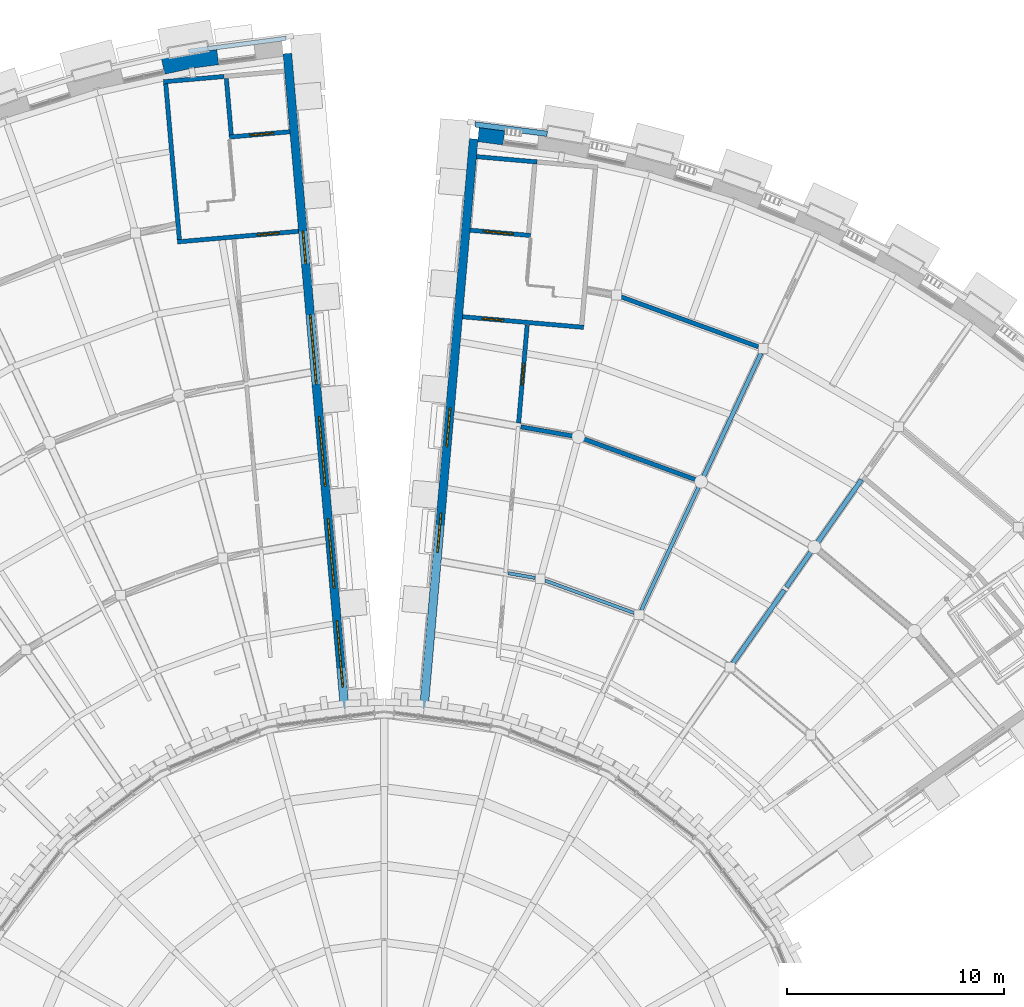
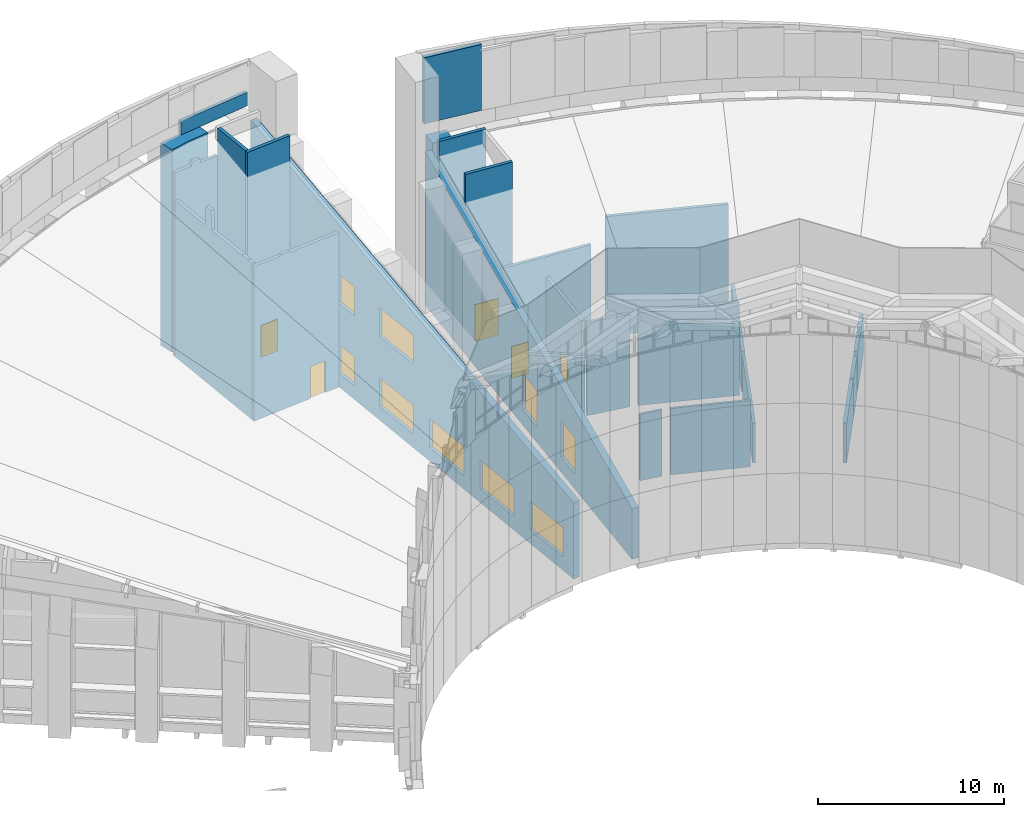
# One storey, part 60 of 82: 25 walls, 9 windows, 5 doors, 14 openings.
"""IFC4 building model written with IfcOpenShell, lengths in metres."""

from ifc_helpers import new_model, si_unit, direction, frame, frame_2d, origin, place, context, subcontext, project, spatial, polyline, rectangle, outline, extrude, material, layer, layer_set, type_object, element, fill, save


model = new_model("IFC4")

# Units and contexts
model_context = context("Model", 3, precision=1e-05, world=origin(), true_north=direction((0.0, 1.0)))
body_context = subcontext(model_context, "Body", "Model", "MODEL_VIEW")
ifc_project = project(units=[si_unit("LENGTHUNIT", "METRE"), si_unit("AREAUNIT", "SQUARE_METRE"), si_unit("VOLUMEUNIT", "CUBIC_METRE"), si_unit("PLANEANGLEUNIT", "RADIAN"), si_unit("MASSUNIT", "GRAM", prefix="KILO")], contexts=[model_context])

# Site, building, storey
site_placement = place(None, origin())
site = spatial("IfcSite", under=ifc_project, at=site_placement, CompositionType="ELEMENT")
building_placement = place(site_placement, origin())
building = spatial("IfcBuilding", under=site, at=building_placement, Name="Volute Hill Aquarium", CompositionType="ELEMENT")
storey_placement = place(building_placement, frame((0.0, 0.0, 13.800048828125)))
storey = spatial("IfcBuildingStorey", under=building, at=storey_placement, Name="L04", CompositionType="ELEMENT", Elevation=13.800048828125)

# Walls
ifc_material_1 = material(Name="Gypsum board on steel studs", Category="steel")
ifc_layer_1 = layer(ifc_material_1, 0.14990234375)
ifc_layer_set_1 = layer_set([ifc_layer_1], Name="Acoustic partition 150")
wall_type_1 = type_object("IfcWallType", Name="Acoustic partition 150", PredefinedType="PARTITIONING", material=ifc_layer_set_1)
wall_1_placement = place(storey_placement, frame((7.410888671875, 26.734619140625, 0.0), z_axis=(0.0, 0.0, 1.0), x_axis=(0.939682191011, -0.342048797538, 0.0)))
element("IfcWall", 1, at=wall_1_placement, inside=storey, type_object=wall_type_1, Name="pw/S5/L04/015", PredefinedType="PARTITIONING", context=body_context, shape_type="SweptSolid", body=[
    extrude(rectangle(XDim=4.359619140625, YDim=0.14990234375, at=frame_2d((2.1796875, 0.0))), origin(), (0.0, 0.0, 1.0), 4.3603515625),
])
wall_2_placement = place(storey_placement, frame((5.698974609375, 27.07861328125, 0.0), z_axis=(0.0, 0.0, 1.0), x_axis=(0.984806781799, -0.173653685601, 0.0)))
element("IfcWall", 2, at=wall_2_placement, inside=storey, type_object=wall_type_1, Name="pw/S5/L04/035", PredefinedType="PARTITIONING", context=body_context, shape_type="SweptSolid", body=[
    extrude(rectangle(XDim=1.26953125, YDim=0.14990234375, at=frame_2d((0.634765625, 0.0))), origin(), (0.0, 0.0, 1.0), 4.3603515625),
])

# Wall, opening, door
ifc_material_2 = material(Name="Concrete C30/37", Category="concrete")
ifc_layer_2 = layer(ifc_material_2, 0.199951171875)
ifc_layer_set_2 = layer_set([ifc_layer_2], Name="Core wall 200 REI 60")
wall_type_2 = type_object("IfcWallType", Name="Core wall 200 REI 60", PredefinedType="SHEAR", material=ifc_layer_set_2)
wall_3_placement = place(storey_placement, frame((3.602783203125, 38.884033203125, 0.0), z_axis=(0.0, 0.0, 1.0), x_axis=(0.996195137027, -0.087150725554, 0.0)))
wall_3 = element("IfcWall", 3, at=wall_3_placement, inside=storey, type_object=wall_type_2, Name="wc/S5-B/L04/in", PredefinedType="SHEAR", context=body_context, shape_type="SweptSolid", body=[
    extrude(rectangle(XDim=5.599853515625, YDim=0.199951171875, at=frame_2d((2.7998046875, 0.0))), origin(), (0.0, 0.0, 1.0), 7.446044921875),
])
opening_1_placement = place(wall_3_placement, frame((0.89990234375, 0.0, 0.0)))
opening_1 = element("IfcOpeningElement", 4, at=opening_1_placement, cuts=wall_3, Name="Opening D5.04.BS", PredefinedType="OPENING", context=body_context, shape_type="SweptSolid", body=[
    extrude(rectangle(XDim=1.0, YDim=2.10009765625, at=frame_2d((0.5, 1.050048828125))), frame((0.0, 0.10986328125, 0.0), z_axis=(0.0, -1.0, 0.0), x_axis=(1.0, 0.0, 0.0)), (0.0, 0.0, 1.0), 0.219970703125),
])
ifc_material_3 = material(Name="Timber, fire-rated", Category="wood")
door_type_1 = type_object("IfcDoorType", Name="Door 1000 x 2100 single EI1 30", OperationType="SINGLE_SWING_LEFT", PredefinedType="DOOR", material=ifc_material_3)
door_1_placement = place(opening_1_placement, origin())
door_1 = element("IfcDoor", 5, at=door_1_placement, inside=storey, type_object=door_type_1, Name="d/S5-B/L04/st", OperationType="SINGLE_SWING_RIGHT", OverallHeight=2.10009765625, OverallWidth=1.0, PredefinedType="DOOR", context=body_context, shape_type="SweptSolid", body=[
    extrude(rectangle(XDim=1.0, YDim=2.10009765625, at=frame_2d((0.5, 1.050048828125))), frame((0.0, 0.02490234375, 0.0), z_axis=(0.0, -1.0, 0.0), x_axis=(1.0, 0.0, 0.0)), (0.0, 0.0, 1.0), 0.050048828125),
])
fill(opening_1, door_1)

wall_4_placement = place(storey_placement, frame((-3.947021484375, 42.81884765625, 0.0), z_axis=(0.0, 0.0, 1.0), x_axis=(-0.996195137027, -0.087150725554, 0.0)))
wall_4 = element("IfcWall", 6, at=wall_4_placement, inside=storey, type_object=wall_type_2, Name="wc/S6-A/L04/in", PredefinedType="SHEAR", context=body_context, shape_type="SweptSolid", body=[
    extrude(outline(polyline([(0.0, 0.0), (5.599853515625, 0.0), (5.60009765625, 10.161376953125), (3.853271484375, 10.161376953125), (3.80322265625, 10.23974609375), (3.30322265625, 10.23974609375), (3.253173828125, 10.161376953125), (0.0, 10.161376953125), (0.0, 0.0)])), frame((0.0, 0.10009765625, 0.0), z_axis=(0.0, -1.0, 0.0), x_axis=(1.0, 0.0, 0.0)), (0.0, 0.0, 1.0), 0.199951171875),
])
opening_2_placement = place(wall_4_placement, frame((0.89990234375, 0.0, 0.0)))
opening_2 = element("IfcOpeningElement", 7, at=opening_2_placement, cuts=wall_4, Name="Opening D6.04.AS", PredefinedType="OPENING", context=body_context, shape_type="SweptSolid", body=[
    extrude(rectangle(XDim=1.0, YDim=2.10009765625, at=frame_2d((0.5, 1.050048828125))), frame((0.0, 0.10986328125, 0.0), z_axis=(0.0, -1.0, 0.0), x_axis=(1.0, 0.0, 0.0)), (0.0, 0.0, 1.0), 0.219970703125),
])
door_2_placement = place(opening_2_placement, origin())
door_2 = element("IfcDoor", 8, at=door_2_placement, inside=storey, type_object=door_type_1, Name="d/S6-A/L04/st", OperationType="SINGLE_SWING_RIGHT", OverallHeight=2.10009765625, OverallWidth=1.0, PredefinedType="DOOR", context=body_context, shape_type="SweptSolid", body=[
    extrude(rectangle(XDim=1.0, YDim=2.10009765625, at=frame_2d((0.5, 1.050048828125))), frame((0.0, 0.02490234375, 0.0), z_axis=(0.0, -1.0, 0.0), x_axis=(1.0, 0.0, 0.0)), (0.0, 0.0, 1.0), 0.050048828125),
])
fill(opening_2, door_2)

# Walls
wall_5_placement = place(storey_placement, frame((-9.434814453125, 42.439208984375, 0.0), z_axis=(0.0, 0.0, 1.0), x_axis=(-0.087144656612, 0.996195667941, 0.0)))
element("IfcWall", 9, at=wall_5_placement, inside=storey, type_object=wall_type_2, Name="wc/S6-A/L04/side", PredefinedType="SHEAR", context=body_context, shape_type="SweptSolid", body=[
    extrude(outline(polyline([(0.0, 0.0), (7.199951171875, 0.0), (7.199951171875, 10.283447265625), (4.36767578125, 10.283447265625), (4.317626953125, 11.549560546875), (3.817626953125, 11.549560546875), (3.767578125, 10.283447265625), (0.942626953125, 10.283447265625), (0.892578125, 10.31884765625), (0.392578125, 10.31884765625), (0.342529296875, 10.283447265625), (0.0, 10.283447265625), (0.0, 0.0)])), frame((0.0, 0.10009765625, 0.0), z_axis=(0.0, -1.0, 0.0), x_axis=(1.0, 0.0, 0.0)), (0.0, 0.0, 1.0), 0.199951171875),
])
wall_6_placement = place(storey_placement, frame((-7.381103515625, 49.94677734375, 0.0), z_axis=(0.0, 0.0, 1.0), x_axis=(-0.996192013865, -0.087186418157, 0.0)))
element("IfcWall", 10, at=wall_6_placement, inside=storey, type_object=wall_type_2, Name="wc/S6-A/L04/out-b", PredefinedType="SHEAR", context=body_context, shape_type="SweptSolid", body=[
    extrude(outline(polyline([(0.0, 0.0), (2.80029296875, 0.0), (2.800048828125, 12.086669921875), (1.71826171875, 12.086669921875), (1.668212890625, 12.363525390625), (1.168212890625, 12.363525390625), (1.1181640625, 12.086669921875), (0.0, 12.086669921875), (0.0, 0.0)])), frame((0.0, 0.10009765625, 0.0), z_axis=(0.0, -1.0, 0.0), x_axis=(1.0, 0.0, 0.0)), (0.0, 0.0, 1.0), 0.199951171875),
])
ifc_material_4 = material(Name="Gypsum board on steel studs", Category="steel")
ifc_layer_3 = layer(ifc_material_4, 0.175048828125)
ifc_layer_set_3 = layer_set([ifc_layer_3], Name="Corridor partition 175 EI 60")
wall_type_3 = type_object("IfcWallType", Name="Corridor partition 175 EI 60", PredefinedType="PARTITIONING", material=ifc_layer_set_3)
wall_7_placement = place(storey_placement, frame((11.834228515625, 25.378662109375, 0.0), z_axis=(0.0, 0.0, 1.0), x_axis=(0.42261316076, 0.906310165646, 0.0)))
element("IfcWall", 11, at=wall_7_placement, inside=storey, type_object=wall_type_3, Name="pw/S5/L04/006", PredefinedType="PARTITIONING", context=body_context, shape_type="SweptSolid", body=[
    extrude(rectangle(XDim=6.282958984375, YDim=0.175048828125, at=frame_2d((3.1416015625, 0.0))), origin(), (0.0, 0.0, 1.0), 2.621826171875),
])
ifc_material_5 = material(Name="Precast concrete C40/50", Category="concrete")
ifc_layer_4 = layer(ifc_material_5, 0.25)
ifc_layer_set_4 = layer_set([ifc_layer_4], Name="Crown screen wall precast concrete C40/50 250")
wall_type_4 = type_object("IfcWallType", Name="Crown screen wall precast concrete C40/50 250", PredefinedType="NOTDEFINED", material=ifc_layer_set_4)
wall_8_placement = place(storey_placement, frame((0.0, 0.0, 11.48046875)))
element("IfcWall", 12, at=wall_8_placement, inside=storey, type_object=wall_type_4, Name="Crown screen wall CSW S5 10", PredefinedType="NOTDEFINED", context=body_context, shape_type="SweptSolid", body=[
    extrude(outline(polyline([(7.521728515625, 47.4287109375), (4.18798828125, 47.86767578125), (4.166015625, 47.618408203125), (7.478271484375, 47.18212890625), (7.521728515625, 47.4287109375)])), origin(), (0.0, 0.0, 1.0), 4.339599609375),
])

# Wall, openings, windows
ifc_material_6 = material(Name="Concrete C35/45", Category="concrete")
ifc_layer_5 = layer(ifc_material_6, 0.39990234375)
ifc_layer_set_5 = layer_set([ifc_layer_5], Name="End wall 400 C35/45")
wall_type_5 = type_object("IfcWallType", Name="End wall 400 C35/45", PredefinedType="SHEAR", material=ifc_layer_set_5)
wall_9_placement = place(storey_placement, frame((1.821533203125, 20.820556640625, 0.0), z_axis=(0.0, 0.0, 1.0), x_axis=(0.087158559941, 0.996194451615, 0.0)))
wall_9 = element("IfcWall", 13, at=wall_9_placement, inside=storey, type_object=wall_type_5, Name="sw/S5/L04/endB", PredefinedType="SHEAR", context=body_context, shape_type="SweptSolid", body=[
    extrude(outline(polyline([(0.0, 0.0), (26.35009765625, 0.0), (26.35009765625, 10.090087890625), (23.056396484375, 9.243408203125), (19.762451171875, 8.396728515625), (16.46875, 7.5498046875), (13.175048828125, 6.703125), (9.88134765625, 5.8564453125), (6.58740234375, 5.009521484375), (3.293701171875, 4.162841796875), (0.0, 3.316162109375), (0.0, 0.0)])), frame((0.0, 0.199951171875, 0.0), z_axis=(0.0, -1.0, 0.0), x_axis=(1.0, 0.0, 0.0)), (0.0, 0.0, 1.0), 0.39990234375),
])
opening_3_placement = place(wall_9_placement, frame((7.252197265625, 0.0, 1.0)))
opening_3 = element("IfcOpeningElement", 14, at=opening_3_placement, cuts=wall_9, Name="Opening W13", PredefinedType="OPENING", context=body_context, shape_type="SweptSolid", body=[
    extrude(rectangle(XDim=1.800048828125, YDim=2.39990234375, at=frame_2d((0.89990234375, 1.199951171875))), frame((0.0, 0.2099609375, 0.0), z_axis=(0.0, -1.0, 0.0), x_axis=(1.0, 0.0, 0.0)), (0.0, 0.0, 1.0), 0.419921875),
])
opening_4_placement = place(wall_9_placement, frame((12.1181640625, 0.0, 1.0)))
opening_4 = element("IfcOpeningElement", 15, at=opening_4_placement, cuts=wall_9, Name="Opening W13", PredefinedType="OPENING", context=body_context, shape_type="SweptSolid", body=[
    extrude(rectangle(XDim=1.800048828125, YDim=2.39990234375, at=frame_2d((0.89990234375, 1.199951171875))), frame((0.0, 0.2099609375, 0.0), z_axis=(0.0, -1.0, 0.0), x_axis=(1.0, 0.0, 0.0)), (0.0, 0.0, 1.0), 0.419921875),
])
ifc_material_7 = material(Name="Aluminium and glass", Category="aluminium")
window_type_1 = type_object("IfcWindowType", Name="End wall window 1800x2400", PartitioningType="SINGLE_PANEL", PredefinedType="WINDOW", material=ifc_material_7)
window_1_placement = place(opening_3_placement, origin())
window_1 = element("IfcWindow", 16, at=window_1_placement, inside=storey, type_object=window_type_1, Name="End wall window S5B L04 2.1", OverallHeight=2.39990234375, OverallWidth=1.800048828125, PartitioningType="SINGLE_PANEL", PredefinedType="WINDOW", context=body_context, shape_type="SweptSolid", body=[
    extrude(rectangle(XDim=1.800048828125, YDim=2.39990234375, at=frame_2d((0.89990234375, 1.199951171875))), frame((0.0, 0.030029296875, 0.0), z_axis=(0.0, -1.0, 0.0), x_axis=(1.0, 0.0, 0.0)), (0.0, 0.0, 1.0), 0.06005859375),
])
fill(opening_3, window_1)
window_2_placement = place(opening_4_placement, origin())
window_2 = element("IfcWindow", 17, at=window_2_placement, inside=storey, type_object=window_type_1, Name="End wall window S5B L04 3.1", OverallHeight=2.39990234375, OverallWidth=1.800048828125, PartitioningType="SINGLE_PANEL", PredefinedType="WINDOW", context=body_context, shape_type="SweptSolid", body=[
    extrude(rectangle(XDim=1.800048828125, YDim=2.39990234375, at=frame_2d((0.89990234375, 1.199951171875))), frame((0.0, 0.030029296875, 0.0), z_axis=(0.0, -1.0, 0.0), x_axis=(1.0, 0.0, 0.0)), (0.0, 0.0, 1.0), 0.06005859375),
])
fill(opening_4, window_2)

wall_10_placement = place(storey_placement, frame((-1.821533203125, 20.820556640625, 0.0), z_axis=(0.0, 0.0, 1.0), x_axis=(-0.08715775458, 0.996194522077, 0.0)))
wall_10 = element("IfcWall", 18, at=wall_10_placement, inside=storey, type_object=wall_type_5, Name="sw/S6/L04/endA", PredefinedType="SHEAR", context=body_context, shape_type="SweptSolid", body=[
    extrude(outline(polyline([(0.0, 0.0), (30.2998046875, 0.0), (30.300048828125, 12.8056640625), (26.512451171875, 11.83203125), (22.72509765625, 10.858154296875), (18.9375, 9.884521484375), (15.14990234375, 8.910888671875), (11.362548828125, 7.937255859375), (7.574951171875, 6.96337890625), (3.78759765625, 5.98974609375), (0.0, 5.01611328125), (0.0, 0.0)])), frame((0.0, 0.199951171875, 0.0), z_axis=(0.0, -1.0, 0.0), x_axis=(1.0, 0.0, 0.0)), (0.0, 0.0, 1.0), 0.39990234375),
])
opening_5_placement = place(wall_10_placement, frame((1.02001953125, 0.0, 0.89990234375)))
opening_5 = element("IfcOpeningElement", 19, at=opening_5_placement, cuts=wall_10, Name="Opening W20", PredefinedType="OPENING", context=body_context, shape_type="SweptSolid", body=[
    extrude(rectangle(XDim=3.063232421875, YDim=1.89990234375, at=frame_2d((1.53173828125, 0.949951171875))), frame((0.0, 0.2099609375, 0.0), z_axis=(0.0, -1.0, 0.0), x_axis=(1.0, 0.0, 0.0)), (0.0, 0.0, 1.0), 0.419921875),
])
opening_6_placement = place(wall_10_placement, frame((5.583251953125, 0.0, 0.89990234375)))
opening_6 = element("IfcOpeningElement", 20, at=opening_6_placement, cuts=wall_10, Name="Opening W21", PredefinedType="OPENING", context=body_context, shape_type="SweptSolid", body=[
    extrude(rectangle(XDim=3.21337890625, YDim=1.89990234375, at=frame_2d((1.606689453125, 0.949951171875))), frame((0.0, 0.2099609375, 0.0), z_axis=(0.0, -1.0, 0.0), x_axis=(1.0, 0.0, 0.0)), (0.0, 0.0, 1.0), 0.419921875),
])
opening_7_placement = place(wall_10_placement, frame((10.296630859375, 0.0, 0.89990234375)))
opening_7 = element("IfcOpeningElement", 21, at=opening_7_placement, cuts=wall_10, Name="Opening W21", PredefinedType="OPENING", context=body_context, shape_type="SweptSolid", body=[
    extrude(rectangle(XDim=3.21337890625, YDim=1.89990234375, at=frame_2d((1.606689453125, 0.949951171875))), frame((0.0, 0.2099609375, 0.0), z_axis=(0.0, -1.0, 0.0), x_axis=(1.0, 0.0, 0.0)), (0.0, 0.0, 1.0), 0.419921875),
])
opening_8_placement = place(wall_10_placement, frame((15.010009765625, 0.0, 0.89990234375)))
opening_8 = element("IfcOpeningElement", 22, at=opening_8_placement, cuts=wall_10, Name="Opening W21", PredefinedType="OPENING", context=body_context, shape_type="SweptSolid", body=[
    extrude(rectangle(XDim=3.21337890625, YDim=1.89990234375, at=frame_2d((1.606689453125, 0.949951171875))), frame((0.0, 0.2099609375, 0.0), z_axis=(0.0, -1.0, 0.0), x_axis=(1.0, 0.0, 0.0)), (0.0, 0.0, 1.0), 0.419921875),
])
opening_9_placement = place(wall_10_placement, frame((15.010009765625, 0.0, 5.5)))
opening_9 = element("IfcOpeningElement", 23, at=opening_9_placement, cuts=wall_10, Name="Opening W21", PredefinedType="OPENING", context=body_context, shape_type="SweptSolid", body=[
    extrude(rectangle(XDim=3.21337890625, YDim=1.89990234375, at=frame_2d((1.606689453125, 0.949951171875))), frame((0.0, 0.2099609375, 0.0), z_axis=(0.0, -1.0, 0.0), x_axis=(1.0, 0.0, 0.0)), (0.0, 0.0, 1.0), 0.419921875),
])
opening_10_placement = place(wall_10_placement, frame((20.580078125, 0.0, 0.89990234375)))
opening_10 = element("IfcOpeningElement", 24, at=opening_10_placement, cuts=wall_10, Name="Opening W22", PredefinedType="OPENING", context=body_context, shape_type="SweptSolid", body=[
    extrude(rectangle(XDim=1.5, YDim=1.89990234375, at=frame_2d((0.75, 0.949951171875))), frame((0.0, 0.2099609375, 0.0), z_axis=(0.0, -1.0, 0.0), x_axis=(1.0, 0.0, 0.0)), (0.0, 0.0, 1.0), 0.419921875),
])
opening_11_placement = place(wall_10_placement, frame((20.580078125, 0.0, 5.5)))
opening_11 = element("IfcOpeningElement", 25, at=opening_11_placement, cuts=wall_10, Name="Opening W22", PredefinedType="OPENING", context=body_context, shape_type="SweptSolid", body=[
    extrude(rectangle(XDim=1.5, YDim=1.89990234375, at=frame_2d((0.75, 0.949951171875))), frame((0.0, 0.2099609375, 0.0), z_axis=(0.0, -1.0, 0.0), x_axis=(1.0, 0.0, 0.0)), (0.0, 0.0, 1.0), 0.419921875),
])
ifc_material_8 = material(Name="Aluminium and glass", Category="aluminium")
window_type_2 = type_object("IfcWindowType", Name="End wall window 1500x1900", PartitioningType="SINGLE_PANEL", PredefinedType="WINDOW", material=ifc_material_8)
window_3_placement = place(opening_10_placement, origin())
window_3 = element("IfcWindow", 26, at=window_3_placement, inside=storey, type_object=window_type_2, Name="End wall window S6A L04 5.1", OverallHeight=1.89990234375, OverallWidth=1.5, PartitioningType="SINGLE_PANEL", PredefinedType="WINDOW", context=body_context, shape_type="SweptSolid", body=[
    extrude(rectangle(XDim=1.5, YDim=1.89990234375, at=frame_2d((0.75, 0.949951171875))), frame((0.0, 0.030029296875, 0.0), z_axis=(0.0, -1.0, 0.0), x_axis=(1.0, 0.0, 0.0)), (0.0, 0.0, 1.0), 0.06005859375),
])
fill(opening_10, window_3)
window_4_placement = place(opening_11_placement, origin())
window_4 = element("IfcWindow", 27, at=window_4_placement, inside=storey, type_object=window_type_2, Name="End wall window S6A L04 5.2", OverallHeight=1.89990234375, OverallWidth=1.5, PartitioningType="SINGLE_PANEL", PredefinedType="WINDOW", context=body_context, shape_type="SweptSolid", body=[
    extrude(rectangle(XDim=1.5, YDim=1.89990234375, at=frame_2d((0.75, 0.949951171875))), frame((0.0, 0.030029296875, 0.0), z_axis=(0.0, -1.0, 0.0), x_axis=(1.0, 0.0, 0.0)), (0.0, 0.0, 1.0), 0.06005859375),
])
fill(opening_11, window_4)
ifc_material_9 = material(Name="Aluminium and glass", Category="aluminium")
window_type_3 = type_object("IfcWindowType", Name="End wall window 3063x1900", PartitioningType="SINGLE_PANEL", PredefinedType="WINDOW", material=ifc_material_9)
window_5_placement = place(opening_5_placement, origin())
window_5 = element("IfcWindow", 28, at=window_5_placement, inside=storey, type_object=window_type_3, Name="End wall window S6A L04 1.1", OverallHeight=1.89990234375, OverallWidth=3.063232421875, PartitioningType="SINGLE_PANEL", PredefinedType="WINDOW", context=body_context, shape_type="SweptSolid", body=[
    extrude(rectangle(XDim=3.063232421875, YDim=1.89990234375, at=frame_2d((1.53173828125, 0.949951171875))), frame((0.0, 0.030029296875, 0.0), z_axis=(0.0, -1.0, 0.0), x_axis=(1.0, 0.0, 0.0)), (0.0, 0.0, 1.0), 0.06005859375),
])
fill(opening_5, window_5)
ifc_material_10 = material(Name="Aluminium and glass", Category="aluminium")
window_type_4 = type_object("IfcWindowType", Name="End wall window 3213x1900", PartitioningType="SINGLE_PANEL", PredefinedType="WINDOW", material=ifc_material_10)
window_6_placement = place(opening_6_placement, origin())
window_6 = element("IfcWindow", 29, at=window_6_placement, inside=storey, type_object=window_type_4, Name="End wall window S6A L04 2.1", OverallHeight=1.89990234375, OverallWidth=3.21337890625, PartitioningType="SINGLE_PANEL", PredefinedType="WINDOW", context=body_context, shape_type="SweptSolid", body=[
    extrude(rectangle(XDim=3.21337890625, YDim=1.89990234375, at=frame_2d((1.606689453125, 0.949951171875))), frame((0.0, 0.030029296875, 0.0), z_axis=(0.0, -1.0, 0.0), x_axis=(1.0, 0.0, 0.0)), (0.0, 0.0, 1.0), 0.06005859375),
])
fill(opening_6, window_6)
window_7_placement = place(opening_7_placement, origin())
window_7 = element("IfcWindow", 30, at=window_7_placement, inside=storey, type_object=window_type_4, Name="End wall window S6A L04 3.1", OverallHeight=1.89990234375, OverallWidth=3.21337890625, PartitioningType="SINGLE_PANEL", PredefinedType="WINDOW", context=body_context, shape_type="SweptSolid", body=[
    extrude(rectangle(XDim=3.21337890625, YDim=1.89990234375, at=frame_2d((1.606689453125, 0.949951171875))), frame((0.0, 0.030029296875, 0.0), z_axis=(0.0, -1.0, 0.0), x_axis=(1.0, 0.0, 0.0)), (0.0, 0.0, 1.0), 0.06005859375),
])
fill(opening_7, window_7)
window_8_placement = place(opening_8_placement, origin())
window_8 = element("IfcWindow", 31, at=window_8_placement, inside=storey, type_object=window_type_4, Name="End wall window S6A L04 4.1", OverallHeight=1.89990234375, OverallWidth=3.21337890625, PartitioningType="SINGLE_PANEL", PredefinedType="WINDOW", context=body_context, shape_type="SweptSolid", body=[
    extrude(rectangle(XDim=3.21337890625, YDim=1.89990234375, at=frame_2d((1.606689453125, 0.949951171875))), frame((0.0, 0.030029296875, 0.0), z_axis=(0.0, -1.0, 0.0), x_axis=(1.0, 0.0, 0.0)), (0.0, 0.0, 1.0), 0.06005859375),
])
fill(opening_8, window_8)
window_9_placement = place(opening_9_placement, origin())
window_9 = element("IfcWindow", 32, at=window_9_placement, inside=storey, type_object=window_type_4, Name="End wall window S6A L04 4.2", OverallHeight=1.89990234375, OverallWidth=3.21337890625, PartitioningType="SINGLE_PANEL", PredefinedType="WINDOW", context=body_context, shape_type="SweptSolid", body=[
    extrude(rectangle(XDim=3.21337890625, YDim=1.89990234375, at=frame_2d((1.606689453125, 0.949951171875))), frame((0.0, 0.030029296875, 0.0), z_axis=(0.0, -1.0, 0.0), x_axis=(1.0, 0.0, 0.0)), (0.0, 0.0, 1.0), 0.06005859375),
])
fill(opening_9, window_9)

# Walls
ifc_material_11 = material(Name="Masonry blockwork", Category="masonry")
ifc_layer_6 = layer(ifc_material_11, 0.199951171875)
ifc_layer_set_6 = layer_set([ifc_layer_6], Name="Fire partition 200 EI 60")
wall_type_6 = type_object("IfcWallType", Name="Fire partition 200 EI 60", PredefinedType="PARTITIONING", material=ifc_layer_set_6)
wall_11_placement = place(storey_placement, frame((10.911376953125, 39.798583984375, 0.0), z_axis=(0.0, 0.0, 1.0), x_axis=(0.939697881893, -0.342005688208, 0.0)))
element("IfcWall", 33, at=wall_11_placement, inside=storey, type_object=wall_type_6, Name="pw/S5/L04/002", PredefinedType="PARTITIONING", context=body_context, shape_type="SweptSolid", body=[
    extrude(rectangle(XDim=6.71728515625, YDim=0.199951171875, at=frame_2d((3.358642578125, 0.0))), origin(), (0.0, 0.0, 1.0), 7.83740234375),
])
wall_12_placement = place(storey_placement, frame((14.692138671875, 31.507568359375, 0.0), z_axis=(0.0, 0.0, 1.0), x_axis=(0.422645077375, 0.906295282218, 0.0)))
element("IfcWall", 34, at=wall_12_placement, inside=storey, type_object=wall_type_6, Name="pw/S5/L04/005", PredefinedType="PARTITIONING", context=body_context, shape_type="SweptSolid", body=[
    extrude(rectangle(XDim=6.283203125, YDim=0.199951171875, at=frame_2d((3.1416015625, 0.0))), origin(), (0.0, 0.0, 1.0), 2.621826171875),
])
wall_13_placement = place(storey_placement, frame((9.160888671875, 33.2666015625, 0.0), z_axis=(0.0, 0.0, 1.0), x_axis=(0.939694284746, -0.342015571599, 0.0)))
element("IfcWall", 35, at=wall_13_placement, inside=storey, type_object=wall_type_6, Name="pw/S5/L04/011", PredefinedType="PARTITIONING", context=body_context, shape_type="SweptSolid", body=[
    extrude(rectangle(XDim=5.53857421875, YDim=0.199951171875, at=frame_2d((2.769287109375, 0.0))), origin(), (0.0, 0.0, 1.0), 6.098876953125),
])

# Wall, opening, door
wall_14_placement = place(storey_placement, frame((6.579833984375, 38.492919921875, 0.0), z_axis=(0.0, 0.0, 1.0), x_axis=(-0.087139507724, -0.996196118339, 0.0)))
wall_14 = element("IfcWall", 36, at=wall_14_placement, inside=storey, type_object=wall_type_6, Name="pw/S5/L04/013", PredefinedType="PARTITIONING", context=body_context, shape_type="SweptSolid", body=[
    extrude(rectangle(XDim=4.524658203125, YDim=0.199951171875, at=frame_2d((2.26220703125, 0.0))), origin(), (0.0, 0.0, 1.0), 6.137451171875),
])
opening_12_placement = place(wall_14_placement, frame((1.762451171875, 0.0, 0.0)))
opening_12 = element("IfcOpeningElement", 37, at=opening_12_placement, cuts=wall_14, Name="Opening D5.04.07", PredefinedType="OPENING", context=body_context, shape_type="SweptSolid", body=[
    extrude(rectangle(XDim=1.0, YDim=2.39990234375, at=frame_2d((0.5, 1.199951171875))), frame((0.0, 0.10986328125, 0.0), z_axis=(0.0, -1.0, 0.0), x_axis=(1.0, 0.0, 0.0)), (0.0, 0.0, 1.0), 0.219970703125),
])
ifc_material_12 = material(Name="Steel, fire-rated", Category="steel")
door_type_2 = type_object("IfcDoorType", Name="Door 1000 x 2400 laboratory EI1 30", OperationType="SINGLE_SWING_LEFT", PredefinedType="DOOR", material=ifc_material_12)
door_3_placement = place(opening_12_placement, origin())
door_3 = element("IfcDoor", 38, at=door_3_placement, inside=storey, type_object=door_type_2, Name="d/S5/L04/07", OperationType="SINGLE_SWING_LEFT", OverallHeight=2.39990234375, OverallWidth=1.0, PredefinedType="DOOR", context=body_context, shape_type="SweptSolid", body=[
    extrude(rectangle(XDim=1.0, YDim=2.39990234375, at=frame_2d((0.5, 1.199951171875))), frame((0.0, 0.02490234375, 0.0), z_axis=(0.0, -1.0, 0.0), x_axis=(1.0, 0.0, 0.0)), (0.0, 0.0, 1.0), 0.050048828125),
])
fill(opening_12, door_3)

# Walls
wall_15_placement = place(storey_placement, frame((6.288330078125, 33.8154296875, 0.0), z_axis=(0.0, 0.0, 1.0), x_axis=(0.984797609565, -0.173705694194, 0.0)))
element("IfcWall", 39, at=wall_15_placement, inside=storey, type_object=wall_type_6, Name="pw/S5/L04/023", PredefinedType="PARTITIONING", context=body_context, shape_type="SweptSolid", body=[
    extrude(rectangle(XDim=2.4482421875, YDim=0.199951171875, at=frame_2d((1.22412109375, 0.0))), origin(), (0.0, 0.0, 1.0), 6.0986328125),
])
ifc_material_13 = material(Name="Precast concrete C40/50", Category="concrete")
ifc_layer_7 = layer(ifc_material_13, 0.89990234375)
ifc_layer_set_7 = layer_set([ifc_layer_7], Name="Outer pier precast concrete C40/50 900")
wall_type_7 = type_object("IfcWallType", Name="Outer pier precast concrete C40/50 900", PredefinedType="NOTDEFINED", material=ifc_layer_set_7)
wall_16_placement = place(storey_placement, origin())
element("IfcWall", 40, at=wall_16_placement, inside=storey, type_object=wall_type_7, Name="Outer pier OWP S5 L04 11", PredefinedType="NOTDEFINED", context=body_context, shape_type="SweptSolid", body=[
    extrude(outline(polyline([(5.461669921875, 46.7919921875), (5.5791015625, 47.684326171875), (4.38623046875, 47.841552734375), (4.307861328125, 46.944091796875), (5.461669921875, 46.7919921875)])), origin(), (0.0, 0.0, 1.0), 10.58056640625),
])
wall_17_placement = place(storey_placement, origin())
element("IfcWall", 41, at=wall_17_placement, inside=storey, type_object=wall_type_7, Name="Outer pier OWP S6 L04 2", PredefinedType="NOTDEFINED", context=body_context, shape_type="SweptSolid", body=[
    extrude(outline(polyline([(-7.6220703125, 50.488037109375), (-7.739501953125, 51.380126953125), (-10.30029296875, 50.9287109375), (-10.10546875, 50.050048828125), (-8.873291015625, 50.3232421875), (-7.6220703125, 50.488037109375)])), origin(), (0.0, 0.0, 1.0), 13.300048828125),
])
ifc_material_14 = material(Name="Masonry blockwork", Category="masonry")
ifc_layer_8 = layer(ifc_material_14, 0.215087890625)
ifc_layer_set_8 = layer_set([ifc_layer_8], Name="Plant room wall 215 EI 60")
wall_type_8 = type_object("IfcWallType", Name="Plant room wall 215 EI 60", PredefinedType="PARTITIONING", material=ifc_layer_set_8)
wall_18_placement = place(storey_placement, frame((21.973388671875, 31.38134765625, 0.0), z_axis=(0.0, 0.0, 1.0), x_axis=(-0.573564029795, -0.819160731313, 0.0)))
element("IfcWall", 42, at=wall_18_placement, inside=storey, type_object=wall_type_8, Name="pw/S5/L04/008", PredefinedType="PARTITIONING", context=body_context, shape_type="SweptSolid", body=[
    extrude(rectangle(XDim=3.544921875, YDim=0.215087890625, at=frame_2d((1.7724609375, 0.0))), origin(), (0.0, 0.0, 1.0), 2.621826171875),
])
wall_19_placement = place(storey_placement, frame((18.421142578125, 26.30810546875, 0.0), z_axis=(0.0, 0.0, 1.0), x_axis=(-0.573589781111, -0.819142700026, 0.0)))
element("IfcWall", 43, at=wall_19_placement, inside=storey, type_object=wall_type_8, Name="pw/S5/L04/017", PredefinedType="PARTITIONING", context=body_context, shape_type="SweptSolid", body=[
    extrude(rectangle(XDim=4.1142578125, YDim=0.215087890625, at=frame_2d((2.05712890625, 0.0))), origin(), (0.0, 0.0, 1.0), 2.621826171875),
])
wall_20_placement = place(storey_placement, frame((19.665283203125, 28.084716796875, 0.0), z_axis=(0.0, 0.0, 1.0), x_axis=(-0.573697690177, -0.819067128071, 0.0)))
element("IfcWall", 44, at=wall_20_placement, inside=storey, type_object=wall_type_8, Name="pw/S5/L04/026", PredefinedType="PARTITIONING", context=body_context, shape_type="SweptSolid", body=[
    extrude(rectangle(XDim=2.018798828125, YDim=0.215087890625, at=frame_2d((1.00927734375, 0.0))), origin(), (0.0, 0.0, 1.0), 2.621826171875),
])
ifc_material_15 = material(Name="Precast concrete C40/50", Category="concrete")
ifc_layer_9 = layer(ifc_material_15, 0.199951171875)
ifc_layer_set_9 = layer_set([ifc_layer_9], Name="Roof edge parapet precast concrete C40/50 200")
wall_type_9 = type_object("IfcWallType", Name="Roof edge parapet precast concrete C40/50 200", PredefinedType="PARAPET", material=ifc_layer_set_9)
wall_21_placement = place(storey_placement, frame((0.0, 0.0, 13.300048828125)))
element("IfcWall", 45, at=wall_21_placement, inside=storey, type_object=wall_type_9, Name="Roof edge parapet PAR S6 1", PredefinedType="PARAPET", context=body_context, shape_type="SweptSolid", body=[
    extrude(outline(polyline([(-9.02978515625, 51.21044921875), (-8.9951171875, 51.01318359375), (-4.5146484375, 51.60302734375), (-4.5322265625, 51.802490234375), (-9.02978515625, 51.21044921875)])), origin(), (0.0, 0.0, 1.0), 0.89990234375),
])
ifc_material_16 = material(Name="Concrete C30/37", Category="concrete")
ifc_layer_10 = layer(ifc_material_16, 0.199951171875)
ifc_layer_set_10 = layer_set([ifc_layer_10], Name="Shaft wall 200 EI 60")
wall_type_10 = type_object("IfcWallType", Name="Shaft wall 200 EI 60", PredefinedType="SOLIDWALL", material=ifc_layer_set_10)
wall_22_placement = place(storey_placement, frame((4.24755859375, 46.255859375, 0.0), z_axis=(0.0, 0.0, 1.0), x_axis=(0.996192013865, -0.087186418157, 0.0)))
element("IfcWall", 46, at=wall_22_placement, inside=storey, type_object=wall_type_10, Name="wc/S5-B/L04/out-a", PredefinedType="SOLIDWALL", context=body_context, shape_type="SweptSolid", body=[
    extrude(rectangle(XDim=2.80029296875, YDim=0.199951171875, at=frame_2d((1.400146484375, 0.0))), origin(), (0.0, 0.0, 1.0), 11.179931640625),
])

# Wall, opening, door
wall_23_placement = place(storey_placement, frame((3.951416015625, 42.868896484375, 0.0), z_axis=(0.0, 0.0, 1.0), x_axis=(0.99619068803, -0.087201565829, 0.0)))
wall_23 = element("IfcWall", 47, at=wall_23_placement, inside=storey, type_object=wall_type_10, Name="wc/S5-B/L04/front", PredefinedType="SOLIDWALL", context=body_context, shape_type="SweptSolid", body=[
    extrude(rectangle(XDim=2.7998046875, YDim=0.199951171875, at=frame_2d((1.39990234375, 0.0))), origin(), (0.0, 0.0, 1.0), 11.179931640625),
])
opening_13_placement = place(wall_23_placement, frame((0.60009765625, 0.0, 0.0)))
opening_13 = element("IfcOpeningElement", 48, at=opening_13_placement, cuts=wall_23, Name="Opening LD5.04.B", PredefinedType="OPENING", context=body_context, shape_type="SweptSolid", body=[
    extrude(rectangle(XDim=1.39990234375, YDim=2.39990234375, at=frame_2d((0.699951171875, 1.199951171875))), frame((0.0, 0.10986328125, 0.0), z_axis=(0.0, -1.0, 0.0), x_axis=(1.0, 0.0, 0.0)), (0.0, 0.0, 1.0), 0.219970703125),
])
ifc_material_17 = material(Name="Steel", Category="steel")
door_type_3 = type_object("IfcDoorType", Name="Lift landing door 1400 x 2400 goods", OperationType="SLIDING_TO_LEFT", PredefinedType="DOOR", material=ifc_material_17)
door_4_placement = place(opening_13_placement, origin())
door_4 = element("IfcDoor", 49, at=door_4_placement, inside=storey, type_object=door_type_3, Name="d/S5-B/L04/ld", OperationType="SLIDING_TO_LEFT", OverallHeight=2.39990234375, OverallWidth=1.39990234375, PredefinedType="DOOR", context=body_context, shape_type="SweptSolid", body=[
    extrude(rectangle(XDim=1.39990234375, YDim=2.39990234375, at=frame_2d((0.699951171875, 1.199951171875))), frame((0.0, 0.02490234375, 0.0), z_axis=(0.0, -1.0, 0.0), x_axis=(1.0, 0.0, 0.0)), (0.0, 0.0, 1.0), 0.050048828125),
])
fill(opening_13, door_4)

wall_24_placement = place(storey_placement, frame((-4.347900390625, 47.4013671875, 0.0), z_axis=(0.0, 0.0, 1.0), x_axis=(-0.996198921169, -0.087107459278, 0.0)))
wall_24 = element("IfcWall", 50, at=wall_24_placement, inside=storey, type_object=wall_type_10, Name="wc/S6-A/L04/front", PredefinedType="SOLIDWALL", context=body_context, shape_type="SweptSolid", body=[
    extrude(rectangle(XDim=2.800048828125, YDim=0.199951171875, at=frame_2d((1.39990234375, 0.0))), origin(), (0.0, 0.0, 1.0), 13.89599609375),
])
opening_14_placement = place(wall_24_placement, frame((0.75, 0.0, 0.0)))
opening_14 = element("IfcOpeningElement", 51, at=opening_14_placement, cuts=wall_24, Name="Opening LD6.04.A", PredefinedType="OPENING", context=body_context, shape_type="SweptSolid", body=[
    extrude(rectangle(XDim=1.10009765625, YDim=2.10009765625, at=frame_2d((0.550048828125, 1.050048828125))), frame((0.0, 0.10986328125, 0.0), z_axis=(0.0, -1.0, 0.0), x_axis=(1.0, 0.0, 0.0)), (0.0, 0.0, 1.0), 0.219970703125),
])
ifc_material_18 = material(Name="Stainless steel", Category="steel")
door_type_4 = type_object("IfcDoorType", Name="Lift landing door 1100 x 2100", OperationType="SLIDING_TO_LEFT", PredefinedType="DOOR", material=ifc_material_18)
door_5_placement = place(opening_14_placement, origin())
door_5 = element("IfcDoor", 52, at=door_5_placement, inside=storey, type_object=door_type_4, Name="d/S6-A/L04/ld", OperationType="SLIDING_TO_LEFT", OverallHeight=2.10009765625, OverallWidth=1.10009765625, PredefinedType="DOOR", context=body_context, shape_type="SweptSolid", body=[
    extrude(rectangle(XDim=1.10009765625, YDim=2.10009765625, at=frame_2d((0.550048828125, 1.050048828125))), frame((0.0, 0.02490234375, 0.0), z_axis=(0.0, -1.0, 0.0), x_axis=(1.0, 0.0, 0.0)), (0.0, 0.0, 1.0), 0.050048828125),
])
fill(opening_14, door_5)

# Wall
wall_25_placement = place(storey_placement, frame((-7.04638671875, 47.265625, 0.0), z_axis=(0.0, 0.0, 1.0), x_axis=(-0.087140158824, 0.996196061386, 0.0)))
element("IfcWall", 53, at=wall_25_placement, inside=storey, type_object=wall_type_10, Name="wc/S6-A/L04/shaft-side", PredefinedType="SOLIDWALL", context=body_context, shape_type="SweptSolid", body=[
    extrude(rectangle(XDim=2.60009765625, YDim=0.199951171875, at=frame_2d((1.300048828125, 0.0))), origin(), (0.0, 0.0, 1.0), 13.89599609375),
])

save(model, "model.ifc")
